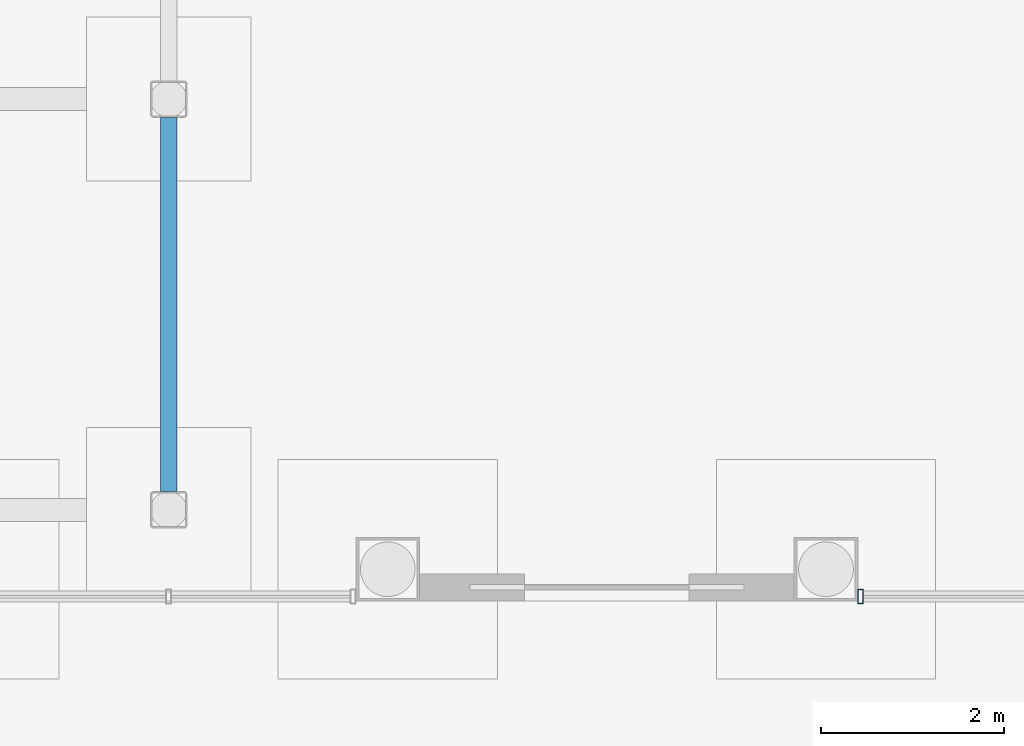
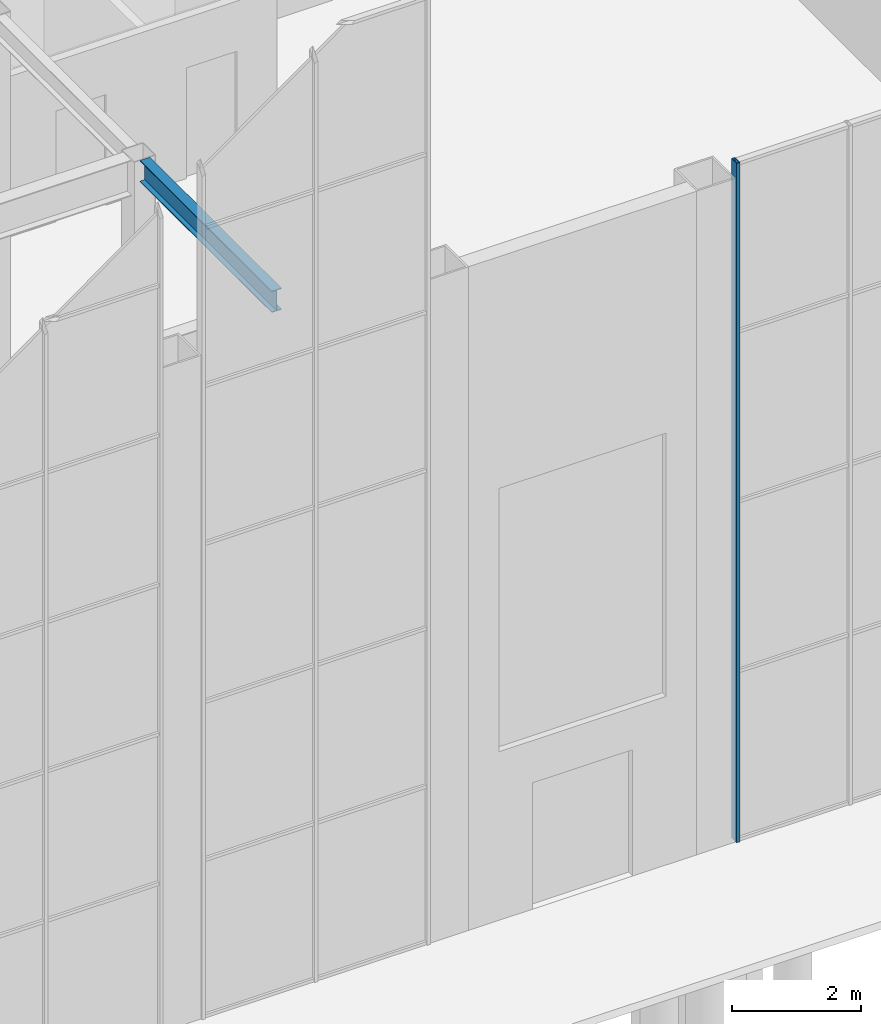
# One storey, part 18 of 58: 1 beam, 1 member, 1 element without a shape of its own.
"""IFC4 building model written with IfcOpenShell, lengths in metres."""

from ifc_helpers import new_model, si_unit, direction, frame, origin, origin_2d, place, context, subcontext, project, spatial, hollow_rectangle, i_section, extrude, material, layer, layer_set, material_profile, profile_set, type_object, element, aggregate, save


model = new_model("IFC4")

# Units and contexts
model_context = context("Model", 3, precision=1e-05, world=origin(), true_north=direction((0.0, 1.0)))
body_context = subcontext(model_context, "Body", "Model", "MODEL_VIEW")
ifc_project = project(units=[si_unit("LENGTHUNIT", "METRE"), si_unit("AREAUNIT", "SQUARE_METRE"), si_unit("VOLUMEUNIT", "CUBIC_METRE"), si_unit("PLANEANGLEUNIT", "RADIAN"), si_unit("MASSUNIT", "GRAM", prefix="KILO")], contexts=[model_context])

# Site, building, storey
site_placement = place(None, origin())
site = spatial("IfcSite", under=ifc_project, at=site_placement, CompositionType="ELEMENT")
building_placement = place(site_placement, origin())
building = spatial("IfcBuilding", under=site, at=building_placement, Name="Baori Bourse Tower", CompositionType="ELEMENT")
storey_placement = place(building_placement, origin())
storey = spatial("IfcBuildingStorey", under=building, at=storey_placement, Name="L00", CompositionType="ELEMENT", Elevation=0.0)

# Beam
ifc_material_1 = material(Name="Steel A992 Gr 50", Category="steel")
ifc_material_profile_1 = material_profile(ifc_material_1, i_section(OverallWidth=0.177734375, OverallDepth=0.406494140625, WebThickness=0.0078125, FlangeThickness=0.012939453125, at=origin_2d()), Name="W16x40")
ifc_profile_set_1 = profile_set([ifc_material_profile_1], Name="Steel A992 Gr 50")
beam_type = type_object("IfcBeamType", Name="Wing beam W16x40", PredefinedType="BEAM", material=ifc_profile_set_1)
beam_placement = place(storey_placement, frame((7.199951171875, -24.0, 12.19677734375), z_axis=(0.0, 1.0, 0.0), x_axis=(-1.0, 0.0, 0.0)))
element("IfcBeam", 1, at=beam_placement, inside=storey, type_object=beam_type, Name="wing/L00/galbeam/002", PredefinedType="BEAM", context=body_context, shape_type="SweptSolid", body=[
    extrude(i_section(OverallWidth=0.177734375, OverallDepth=0.406494140625, WebThickness=0.0078125, FlangeThickness=0.012939453125, at=origin_2d()), origin(), (0.0, 0.0, 1.0), 4.10009765625),
])

# Curtain wall, member
ifc_material_2 = material(Name="Pale anodised aluminium", Category="aluminium")
ifc_layer = layer(ifc_material_2, 0.10009765625)
ifc_layer_set = layer_set([ifc_layer], Name="Wing curtain wall")
curtain_wall_type = type_object("IfcCurtainWallType", Name="Wing curtain wall", PredefinedType="NOTDEFINED", material=ifc_layer_set)
curtain_wall_placement = place(storey_placement, origin())
curtain_wall = element("IfcCurtainWall", 2, at=curtain_wall_placement, inside=storey, type_object=curtain_wall_type, Name="wing/L00/hallcw/003", PredefinedType="NOTDEFINED")
ifc_material_3 = material(Name="Pale anodised aluminium", Category="aluminium")
ifc_material_profile_2 = material_profile(ifc_material_3, hollow_rectangle(XDim=0.159912109375, YDim=0.06005859375, WallThickness=0.0048828125, at=origin_2d()), Name="Mullion 160x60x5")
ifc_profile_set_2 = profile_set([ifc_material_profile_2], Name="Pale anodised aluminium")
member_type = type_object("IfcMemberType", Name="Wing mullion 60x160", PredefinedType="MULLION", material=ifc_profile_set_2)
member_placement = place(storey_placement, frame((14.780029296875, -25.14990234375, 0.0), z_axis=(0.0, 0.0, 1.0), x_axis=(0.0, 1.0, 0.0)))
member = element("IfcMember", 3, at=member_placement, type_object=member_type, Name="X12 mullion 1", PredefinedType="MULLION", context=body_context, shape_type="SweptSolid", body=[
    extrude(hollow_rectangle(XDim=0.159912109375, YDim=0.06005859375, WallThickness=0.0048828125, at=origin_2d()), origin(), (0.0, 0.0, 1.0), 12.89990234375),
])
aggregate(curtain_wall, [member])

save(model, "model.ifc")
